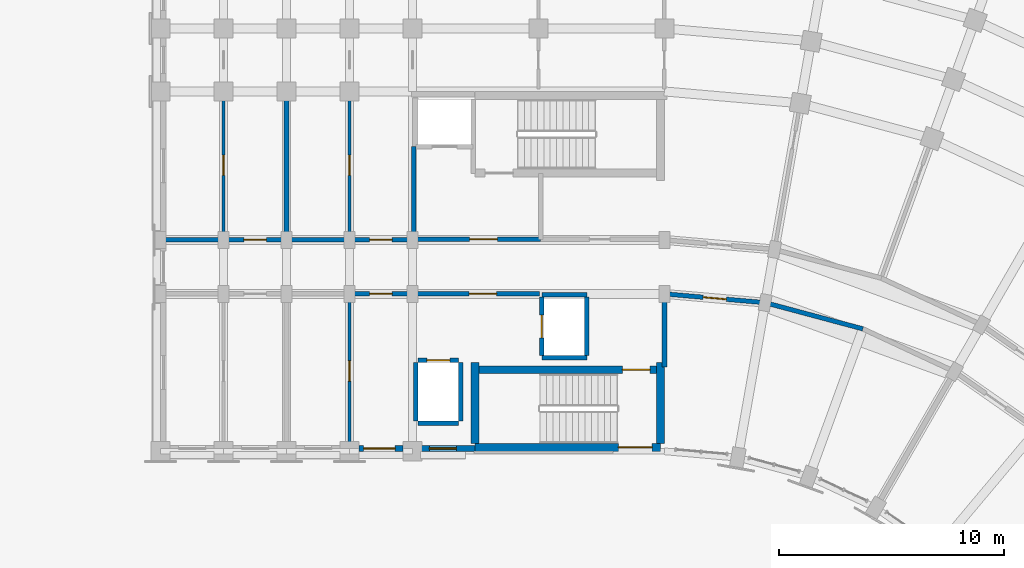
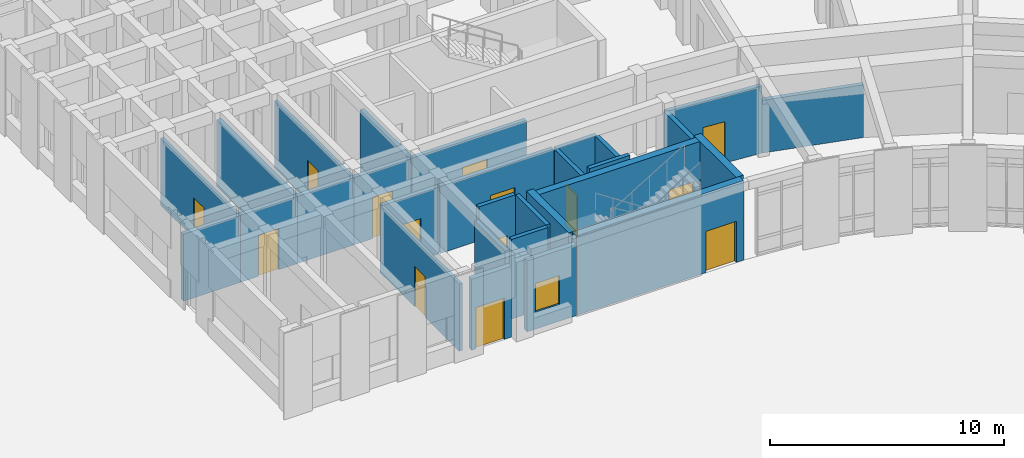
# One storey, part 105 of 135: 29 walls, 14 doors, 1 window, 15 openings.
"""IFC4 building model written with IfcOpenShell, lengths in metres."""

from ifc_helpers import new_model, si_unit, direction, frame, frame_2d, origin, place, context, subcontext, project, spatial, rectangle, extrude, material, layer, layer_set, type_object, element, fill, save


model = new_model("IFC4")

# Units and contexts
model_context = context("Model", 3, precision=1e-05, world=origin(), true_north=direction((0.0, 1.0)))
body_context = subcontext(model_context, "Body", "Model", "MODEL_VIEW")
ifc_project = project(units=[si_unit("LENGTHUNIT", "METRE"), si_unit("AREAUNIT", "SQUARE_METRE"), si_unit("VOLUMEUNIT", "CUBIC_METRE"), si_unit("PLANEANGLEUNIT", "RADIAN"), si_unit("MASSUNIT", "GRAM", prefix="KILO")], contexts=[model_context])

# Site, building, storey
site_placement = place(None, origin())
site = spatial("IfcSite", under=ifc_project, at=site_placement, CompositionType="ELEMENT")
building_placement = place(site_placement, origin())
building = spatial("IfcBuilding", under=site, at=building_placement, Name="Kiranvali Square Residences", CompositionType="ELEMENT")
storey_placement = place(building_placement, origin())
storey = spatial("IfcBuildingStorey", under=building, at=storey_placement, Name="L00", CompositionType="ELEMENT", Elevation=0.0)

# Wall, opening, door
ifc_material_1 = material(Name="Autoclaved aerated concrete blockwork masonry", Category="masonry")
ifc_layer_1 = layer(ifc_material_1, 0.199951171875)
ifc_layer_set_1 = layer_set([ifc_layer_1], Name="Autoclaved aerated concrete blockwork masonry")
wall_type_1 = type_object("IfcWallType", Name="WL-COR-200", PredefinedType="STANDARD", material=ifc_layer_set_1)
wall_1_placement = place(storey_placement, frame((114.25, 113.60009765625, 0.0), z_axis=(0.0, 0.0, 1.0), x_axis=(-1.0, 0.0, 0.0)))
wall_1 = element("IfcWall", 1, at=wall_1_placement, inside=storey, type_object=wall_type_1, Name="L00 architectural wall WL-L00-B-LL-COR", PredefinedType="STANDARD", context=body_context, shape_type="SweptSolid", body=[
    extrude(rectangle(XDim=5.60009765625, YDim=0.199951171875, at=frame_2d((2.800048828125, 0.0))), origin(), (0.0, 0.0, 1.0), 3.491943359375),
])
opening_1_placement = place(wall_1_placement, frame((1.909912109375, 0.0, 0.0)))
opening_1 = element("IfcOpeningElement", 2, at=opening_1_placement, cuts=wall_1, Name="Opening FD-COR-60", PredefinedType="OPENING", context=body_context, shape_type="SweptSolid", body=[
    extrude(rectangle(XDim=1.219970703125, YDim=2.14990234375, at=frame_2d((0.60986328125, 1.074951171875))), frame((0.0, 0.10986328125, 0.0), z_axis=(0.0, -1.0, 0.0), x_axis=(1.0, 0.0, 0.0)), (0.0, 0.0, 1.0), 0.219970703125),
])
ifc_material_2 = material(Name="Fire-rated acoustic hardwood and mineral-core door assembly", Category="wood")
door_type_1 = type_object("IfcDoorType", Name="DR-FD60-1200", OperationType="NOTDEFINED", PredefinedType="DOOR", material=ifc_material_2)
door_1_placement = place(opening_1_placement, frame((1.219970703125, 0.0, 0.0), z_axis=(0.0, 0.0, 1.0), x_axis=(-1.0, 0.0, 0.0)))
door_1 = element("IfcDoor", 3, at=door_1_placement, inside=storey, type_object=door_type_1, Name="L00 door DR-L00-0950 (DR-FD60-1200)", OperationType="SINGLE_SWING_RIGHT", OverallHeight=2.14990234375, OverallWidth=1.219970703125, PredefinedType="DOOR", context=body_context, shape_type="SweptSolid", body=[
    extrude(rectangle(XDim=1.219970703125, YDim=2.14990234375, at=frame_2d((0.60986328125, 1.074951171875))), frame((0.0, 0.02490234375, 0.0), z_axis=(0.0, -1.0, 0.0), x_axis=(1.0, 0.0, 0.0)), (0.0, 0.0, 1.0), 0.050048828125),
])
fill(opening_1, door_1)

wall_2_placement = place(storey_placement, frame((108.60009765625, 113.60009765625, 0.0), z_axis=(0.0, 0.0, 1.0), x_axis=(-1.0, 0.0, 0.0)))
wall_2 = element("IfcWall", 4, at=wall_2_placement, inside=storey, type_object=wall_type_1, Name="L00 architectural wall WL-L00-B-A1CI-0", PredefinedType="STANDARD", context=body_context, shape_type="SweptSolid", body=[
    extrude(rectangle(XDim=2.800048828125, YDim=0.199951171875, at=frame_2d((1.39990234375, 0.0))), origin(), (0.0, 0.0, 1.0), 3.491943359375),
])
opening_2_placement = place(wall_2_placement, frame((0.89990234375, 0.0, 0.0)))
opening_2 = element("IfcOpeningElement", 5, at=opening_2_placement, cuts=wall_2, Name="Opening FD-APT-60", PredefinedType="OPENING", context=body_context, shape_type="SweptSolid", body=[
    extrude(rectangle(XDim=1.0, YDim=2.14990234375, at=frame_2d((0.5, 1.074951171875))), frame((0.0, 0.10986328125, 0.0), z_axis=(0.0, -1.0, 0.0), x_axis=(1.0, 0.0, 0.0)), (0.0, 0.0, 1.0), 0.219970703125),
])
door_type_2 = type_object("IfcDoorType", Name="DR-APT-1000", OperationType="NOTDEFINED", PredefinedType="DOOR", material=ifc_material_2)
door_2_placement = place(opening_2_placement, frame((1.0, 0.0, 0.0), z_axis=(0.0, 0.0, 1.0), x_axis=(-1.0, 0.0, 0.0)))
door_2 = element("IfcDoor", 6, at=door_2_placement, inside=storey, type_object=door_type_2, Name="L00 door DR-L00-0954 (DR-APT-1000)", OperationType="SINGLE_SWING_RIGHT", OverallHeight=2.14990234375, OverallWidth=1.0, PredefinedType="DOOR", context=body_context, shape_type="SweptSolid", body=[
    extrude(rectangle(XDim=1.0, YDim=2.14990234375, at=frame_2d((0.5, 1.074951171875))), frame((0.0, 0.02490234375, 0.0), z_axis=(0.0, -1.0, 0.0), x_axis=(1.0, 0.0, 0.0)), (0.0, 0.0, 1.0), 0.050048828125),
])
fill(opening_2, door_2)

wall_3_placement = place(storey_placement, frame((108.60009765625, 116.0, 0.0), z_axis=(0.0, 0.0, 1.0), x_axis=(-1.0, 0.0, 0.0)))
wall_3 = element("IfcWall", 7, at=wall_3_placement, inside=storey, type_object=wall_type_1, Name="L00 architectural wall WL-L00-B-A1CO-0", PredefinedType="STANDARD", context=body_context, shape_type="SweptSolid", body=[
    extrude(rectangle(XDim=2.800048828125, YDim=0.199951171875, at=frame_2d((1.39990234375, 0.0))), origin(), (0.0, 0.0, 1.0), 3.491943359375),
])
opening_3_placement = place(wall_3_placement, frame((0.89990234375, 0.0, 0.0)))
opening_3 = element("IfcOpeningElement", 8, at=opening_3_placement, cuts=wall_3, Name="Opening FD-APT-60", PredefinedType="OPENING", context=body_context, shape_type="SweptSolid", body=[
    extrude(rectangle(XDim=1.0, YDim=2.14990234375, at=frame_2d((0.5, 1.074951171875))), frame((0.0, 0.10986328125, 0.0), z_axis=(0.0, -1.0, 0.0), x_axis=(1.0, 0.0, 0.0)), (0.0, 0.0, 1.0), 0.219970703125),
])
door_3_placement = place(opening_3_placement, frame((1.0, 0.0, 0.0), z_axis=(0.0, 0.0, 1.0), x_axis=(-1.0, 0.0, 0.0)))
door_3 = element("IfcDoor", 9, at=door_3_placement, inside=storey, type_object=door_type_2, Name="L00 door DR-L00-0956 (DR-APT-1000)", OperationType="SINGLE_SWING_RIGHT", OverallHeight=2.14990234375, OverallWidth=1.0, PredefinedType="DOOR", context=body_context, shape_type="SweptSolid", body=[
    extrude(rectangle(XDim=1.0, YDim=2.14990234375, at=frame_2d((0.5, 1.074951171875))), frame((0.0, 0.02490234375, 0.0), z_axis=(0.0, -1.0, 0.0), x_axis=(1.0, 0.0, 0.0)), (0.0, 0.0, 1.0), 0.050048828125),
])
fill(opening_3, door_3)

# Wall
wall_4_placement = place(storey_placement, frame((105.800048828125, 116.0, 0.0), z_axis=(0.0, 0.0, 1.0), x_axis=(-1.0, 0.0, 0.0)))
element("IfcWall", 10, at=wall_4_placement, inside=storey, type_object=wall_type_1, Name="L00 architectural wall WL-L00-B-A1CO-1", PredefinedType="STANDARD", context=body_context, shape_type="SweptSolid", body=[
    extrude(rectangle(XDim=2.800048828125, YDim=0.199951171875, at=frame_2d((1.39990234375, 0.0))), origin(), (0.0, 0.0, 1.0), 3.491943359375),
])

# Wall, opening, door
wall_5_placement = place(storey_placement, frame((103.0, 116.0, 0.0), z_axis=(0.0, 0.0, 1.0), x_axis=(-1.0, 0.0, 0.0)))
wall_5 = element("IfcWall", 11, at=wall_5_placement, inside=storey, type_object=wall_type_1, Name="L00 architectural wall WL-L00-B-A1CO-2", PredefinedType="STANDARD", context=body_context, shape_type="SweptSolid", body=[
    extrude(rectangle(XDim=2.800048828125, YDim=0.199951171875, at=frame_2d((1.39990234375, 0.0))), origin(), (0.0, 0.0, 1.0), 3.491943359375),
])
opening_4_placement = place(wall_5_placement, frame((0.89990234375, 0.0, 0.0)))
opening_4 = element("IfcOpeningElement", 12, at=opening_4_placement, cuts=wall_5, Name="Opening FD-APT-60", PredefinedType="OPENING", context=body_context, shape_type="SweptSolid", body=[
    extrude(rectangle(XDim=1.0, YDim=2.14990234375, at=frame_2d((0.5, 1.074951171875))), frame((0.0, 0.10986328125, 0.0), z_axis=(0.0, -1.0, 0.0), x_axis=(1.0, 0.0, 0.0)), (0.0, 0.0, 1.0), 0.219970703125),
])
door_4_placement = place(opening_4_placement, frame((1.0, 0.0, 0.0), z_axis=(0.0, 0.0, 1.0), x_axis=(-1.0, 0.0, 0.0)))
door_4 = element("IfcDoor", 13, at=door_4_placement, inside=storey, type_object=door_type_2, Name="L00 door DR-L00-0960 (DR-APT-1000)", OperationType="SINGLE_SWING_RIGHT", OverallHeight=2.14990234375, OverallWidth=1.0, PredefinedType="DOOR", context=body_context, shape_type="SweptSolid", body=[
    extrude(rectangle(XDim=1.0, YDim=2.14990234375, at=frame_2d((0.5, 1.074951171875))), frame((0.0, 0.02490234375, 0.0), z_axis=(0.0, -1.0, 0.0), x_axis=(1.0, 0.0, 0.0)), (0.0, 0.0, 1.0), 0.050048828125),
])
fill(opening_4, door_4)

# Wall
wall_6_placement = place(storey_placement, frame((100.199951171875, 116.0, 0.0), z_axis=(0.0, 0.0, 1.0), x_axis=(-1.0, 0.0, 0.0)))
element("IfcWall", 14, at=wall_6_placement, inside=storey, type_object=wall_type_1, Name="L00 architectural wall WL-L00-B-A1CO-3", PredefinedType="STANDARD", context=body_context, shape_type="SweptSolid", body=[
    extrude(rectangle(XDim=2.800048828125, YDim=0.199951171875, at=frame_2d((1.39990234375, 0.0))), origin(), (0.0, 0.0, 1.0), 3.491943359375),
])

# Wall, opening, door
wall_7_placement = place(storey_placement, frame((119.800048828125, 113.60009765625, 0.0), z_axis=(0.0, 0.0, 1.0), x_axis=(0.996191949488, -0.087187153726, 0.0)))
wall_7 = element("IfcWall", 15, at=wall_7_placement, inside=storey, type_object=wall_type_1, Name="L00 architectural wall WL-L00-B-CCI-0", PredefinedType="STANDARD", context=body_context, shape_type="SweptSolid", body=[
    extrude(rectangle(XDim=4.4970703125, YDim=0.199951171875, at=frame_2d((2.24853515625, 0.0))), origin(), (0.0, 0.0, 1.0), 3.491943359375),
])
opening_5_placement = place(wall_7_placement, frame((1.728515625, 0.0, 0.0)))
opening_5 = element("IfcOpeningElement", 16, at=opening_5_placement, cuts=wall_7, Name="Opening FD-APT-60B", PredefinedType="OPENING", context=body_context, shape_type="SweptSolid", body=[
    extrude(rectangle(XDim=1.0400390625, YDim=2.14990234375, at=frame_2d((0.52001953125, 1.074951171875))), frame((0.0, 0.10986328125, 0.0), z_axis=(0.0, -1.0, 0.0), x_axis=(1.0, 0.0, 0.0)), (0.0, 0.0, 1.0), 0.219970703125),
])
door_type_3 = type_object("IfcDoorType", Name="DR-APT-1040", OperationType="NOTDEFINED", PredefinedType="DOOR", material=ifc_material_2)
door_5_placement = place(opening_5_placement, origin())
door_5 = element("IfcDoor", 17, at=door_5_placement, inside=storey, type_object=door_type_3, Name="L00 door DR-L00-0979 (DR-APT-1040)", OperationType="SINGLE_SWING_LEFT", OverallHeight=2.14990234375, OverallWidth=1.0400390625, PredefinedType="DOOR", context=body_context, shape_type="SweptSolid", body=[
    extrude(rectangle(XDim=1.0400390625, YDim=2.14990234375, at=frame_2d((0.52001953125, 1.074951171875))), frame((0.0, 0.02490234375, 0.0), z_axis=(0.0, -1.0, 0.0), x_axis=(1.0, 0.0, 0.0)), (0.0, 0.0, 1.0), 0.050048828125),
])
fill(opening_5, door_5)

# Walls
wall_8_placement = place(storey_placement, frame((124.280029296875, 113.2080078125, 0.0), z_axis=(0.0, 0.0, 1.0), x_axis=(0.965934240054, -0.258787642463, 0.0)))
element("IfcWall", 18, at=wall_8_placement, inside=storey, type_object=wall_type_1, Name="L00 architectural wall WL-L00-B-CCI-1", PredefinedType="STANDARD", context=body_context, shape_type="SweptSolid", body=[
    extrude(rectangle(XDim=4.497314453125, YDim=0.199951171875, at=frame_2d((2.24853515625, 0.0))), origin(), (0.0, 0.0, 1.0), 2.741943359375),
])
ifc_layer_2 = layer(ifc_material_1, 0.219970703125)
ifc_layer_set_2 = layer_set([ifc_layer_2], Name="Autoclaved aerated concrete blockwork masonry")
wall_type_2 = type_object("IfcWallType", Name="WL-DEM-220", PredefinedType="STANDARD", material=ifc_layer_set_2)
wall_9_placement = place(storey_placement, frame((103.0, 116.050048828125, 0.0), z_axis=(0.0, 0.0, 1.0), x_axis=(0.0, 1.0, 0.0)))
element("IfcWall", 19, at=wall_9_placement, inside=storey, type_object=wall_type_2, Name="L00 architectural wall WL-L00-B-A1TO1-2", PredefinedType="STANDARD", context=body_context, shape_type="SweptSolid", body=[
    extrude(rectangle(XDim=6.530029296875, YDim=0.219970703125, at=frame_2d((3.26513671875, 0.0))), origin(), (0.0, 0.0, 1.0), 3.491943359375),
])
wall_10_placement = place(storey_placement, frame((119.800048828125, 110.35009765625, 0.0), z_axis=(0.0, 0.0, 1.0), x_axis=(0.0, 1.0, 0.0)))
element("IfcWall", 20, at=wall_10_placement, inside=storey, type_object=wall_type_2, Name="L00 architectural wall WL-L00-B-RADI-0", PredefinedType="STANDARD", context=body_context, shape_type="SweptSolid", body=[
    extrude(rectangle(XDim=3.199951171875, YDim=0.219970703125, at=frame_2d((1.60009765625, 0.0))), origin(), (0.0, 0.0, 1.0), 3.491943359375),
])

# Wall, opening, window
ifc_material_3 = material(Name="Breathable lime-rendered clay brick masonry", Category="masonry")
ifc_layer_3 = layer(ifc_material_3, 0.25)
ifc_layer_set_3 = layer_set([ifc_layer_3], Name="Breathable lime-rendered clay brick masonry")
wall_type_3 = type_object("IfcWallType", Name="WL-EXT-250", PredefinedType="STANDARD", material=ifc_layer_set_3)
wall_11_placement = place(storey_placement, frame((111.37158203125, 106.72509765625, 0.0), z_axis=(0.0, 0.0, 1.0), x_axis=(-1.0, 0.0, 0.0)))
wall_11 = element("IfcWall", 21, at=wall_11_placement, inside=storey, type_object=wall_type_3, Name="L00 exterior wall B-L00-A1IN-0", PredefinedType="STANDARD", context=body_context, shape_type="SweptSolid", body=[
    extrude(rectangle(XDim=2.421630859375, YDim=0.25, at=frame_2d((1.2109375, 0.0))), origin(), (0.0, 0.0, 1.0), 3.69189453125),
])
opening_6_placement = place(wall_11_placement, frame((0.821533203125, 0.0, 0.8798828125)))
opening_6 = element("IfcOpeningElement", 22, at=opening_6_placement, cuts=wall_11, Name="Opening W-06", PredefinedType="OPENING", context=body_context, shape_type="SweptSolid", body=[
    extrude(rectangle(XDim=1.199951171875, YDim=1.5, at=frame_2d((0.60009765625, 0.75))), frame((0.0, 0.135009765625, 0.0), z_axis=(0.0, -1.0, 0.0), x_axis=(1.0, 0.0, 0.0)), (0.0, 0.0, 1.0), 0.27001953125),
])
ifc_material_4 = material(Name="Solar-control low-e double glazing", Category="glass")
window_type = type_object("IfcWindowType", Name="WIN-RES-1200x1500", PartitioningType="SINGLE_PANEL", PredefinedType="WINDOW", material=ifc_material_4)
window_placement = place(opening_6_placement, origin())
window = element("IfcWindow", 23, at=window_placement, inside=storey, type_object=window_type, Name="L00 recessed window B-L00-A1IN-0", OverallHeight=1.5, OverallWidth=1.199951171875, PartitioningType="SINGLE_PANEL", PredefinedType="WINDOW", context=body_context, shape_type="SweptSolid", body=[
    extrude(rectangle(XDim=1.199951171875, YDim=1.5, at=frame_2d((0.60009765625, 0.75))), frame((0.0, 0.030029296875, 0.0), z_axis=(0.0, -1.0, 0.0), x_axis=(1.0, 0.0, 0.0)), (0.0, 0.0, 1.0), 0.06005859375),
])
fill(opening_6, window)

# Wall, opening, door
wall_12_placement = place(storey_placement, frame((108.179931640625, 106.72509765625, 0.0), z_axis=(0.0, 0.0, 1.0), x_axis=(-1.0, 0.0, 0.0)))
wall_12 = element("IfcWall", 24, at=wall_12_placement, inside=storey, type_object=wall_type_3, Name="L00 exterior wall B-L00-A1I-0", PredefinedType="STANDARD", context=body_context, shape_type="SweptSolid", body=[
    extrude(rectangle(XDim=1.9599609375, YDim=0.25, at=frame_2d((0.97998046875, 0.0))), origin(), (0.0, 0.0, 1.0), 3.69189453125),
])
opening_7_placement = place(wall_12_placement, frame((0.35009765625, 0.0, 0.0)))
opening_7 = element("IfcOpeningElement", 25, at=opening_7_placement, cuts=wall_12, Name="Opening ED-EX-140", PredefinedType="OPENING", context=body_context, shape_type="SweptSolid", body=[
    extrude(rectangle(XDim=1.39990234375, YDim=2.14990234375, at=frame_2d((0.699951171875, 1.074951171875))), frame((0.0, 0.135009765625, 0.0), z_axis=(0.0, -1.0, 0.0), x_axis=(1.0, 0.0, 0.0)), (0.0, 0.0, 1.0), 0.27001953125),
])
door_type_4 = type_object("IfcDoorType", Name="DR-EXIT-1400", OperationType="NOTDEFINED", PredefinedType="DOOR", material=ifc_material_2)
door_6_placement = place(opening_7_placement, origin())
door_6 = element("IfcDoor", 26, at=door_6_placement, inside=storey, type_object=door_type_4, Name="Block B garden promenade exit door", OperationType="SINGLE_SWING_RIGHT", OverallHeight=2.14990234375, OverallWidth=1.39990234375, PredefinedType="DOOR", context=body_context, shape_type="SweptSolid", body=[
    extrude(rectangle(XDim=1.39990234375, YDim=2.14990234375, at=frame_2d((0.699951171875, 1.074951171875))), frame((0.0, 0.02490234375, 0.0), z_axis=(0.0, -1.0, 0.0), x_axis=(1.0, 0.0, 0.0)), (0.0, 0.0, 1.0), 0.050048828125),
])
fill(opening_7, door_6)

ifc_layer_4 = layer(ifc_material_1, 0.199951171875)
ifc_layer_set_4 = layer_set([ifc_layer_4], Name="Autoclaved aerated concrete blockwork masonry")
wall_type_4 = type_object("IfcWallType", Name="WL-FFL-200", PredefinedType="STANDARD", material=ifc_layer_set_4)
wall_13_placement = place(storey_placement, frame((114.300048828125, 116.02001953125, 0.0), z_axis=(0.0, 0.0, 1.0), x_axis=(-1.0, 0.0, 0.0)))
wall_13 = element("IfcWall", 27, at=wall_13_placement, inside=storey, type_object=wall_type_4, Name="L00 architectural wall WL-L00-B-FF-COR", PredefinedType="STANDARD", context=body_context, shape_type="SweptSolid", body=[
    extrude(rectangle(XDim=5.650146484375, YDim=0.199951171875, at=frame_2d((2.8251953125, 0.0))), origin(), (0.0, 0.0, 1.0), 3.491943359375),
])
opening_8_placement = place(wall_13_placement, frame((1.922607421875, 0.0, 0.0)))
opening_8 = element("IfcOpeningElement", 28, at=opening_8_placement, cuts=wall_13, Name="Opening FD-ST-120", PredefinedType="OPENING", context=body_context, shape_type="SweptSolid", body=[
    extrude(rectangle(XDim=1.239990234375, YDim=2.14990234375, at=frame_2d((0.6201171875, 1.074951171875))), frame((0.0, 0.10986328125, 0.0), z_axis=(0.0, -1.0, 0.0), x_axis=(1.0, 0.0, 0.0)), (0.0, 0.0, 1.0), 0.219970703125),
])
door_type_5 = type_object("IfcDoorType", Name="DR-FD120-1200", OperationType="NOTDEFINED", PredefinedType="DOOR", material=ifc_material_2)
door_7_placement = place(opening_8_placement, frame((1.239990234375, 0.0, 0.0), z_axis=(0.0, 0.0, 1.0), x_axis=(-1.0, 0.0, 0.0)))
door_7 = element("IfcDoor", 29, at=door_7_placement, inside=storey, type_object=door_type_5, Name="L00 door DR-L00-0940 (DR-FD120-1200)", OperationType="SINGLE_SWING_RIGHT", OverallHeight=2.14990234375, OverallWidth=1.239990234375, PredefinedType="DOOR", context=body_context, shape_type="SweptSolid", body=[
    extrude(rectangle(XDim=1.239990234375, YDim=2.14990234375, at=frame_2d((0.6201171875, 1.074951171875))), frame((0.0, 0.02490234375, 0.0), z_axis=(0.0, -1.0, 0.0), x_axis=(1.0, 0.0, 0.0)), (0.0, 0.0, 1.0), 0.050048828125),
])
fill(opening_8, door_7)

# Wall
wall_14_placement = place(storey_placement, frame((108.64990234375, 116.02001953125, 0.0), z_axis=(0.0, 0.0, 1.0), x_axis=(0.0, 1.0, 0.0)))
element("IfcWall", 30, at=wall_14_placement, inside=storey, type_object=wall_type_4, Name="L00 architectural wall WL-L00-B-FF-END", PredefinedType="STANDARD", context=body_context, shape_type="SweptSolid", body=[
    extrude(rectangle(XDim=4.1298828125, YDim=0.199951171875, at=frame_2d((2.06494140625, 0.0))), origin(), (0.0, 0.0, 1.0), 3.491943359375),
])

# Wall, opening, door
ifc_material_5 = material(Name="Acoustic gypsum board drylined partition", Category="gypsum")
ifc_layer_5 = layer(ifc_material_5, 0.14990234375)
ifc_layer_set_5 = layer_set([ifc_layer_5], Name="Acoustic gypsum board drylined partition")
wall_type_5 = type_object("IfcWallType", Name="WL-PRT-150", PredefinedType="PARTITIONING", material=ifc_layer_set_5)
wall_15_placement = place(storey_placement, frame((105.800048828125, 106.800048828125, 0.0), z_axis=(0.0, 0.0, 1.0), x_axis=(0.0, 1.0, 0.0)))
wall_15 = element("IfcWall", 31, at=wall_15_placement, inside=storey, type_object=wall_type_5, Name="L00 architectural wall WL-L00-B-A1TI-1", PredefinedType="PARTITIONING", context=body_context, shape_type="SweptSolid", body=[
    extrude(rectangle(XDim=6.75, YDim=0.14990234375, at=frame_2d((3.375, 0.0))), origin(), (0.0, 0.0, 1.0), 3.491943359375),
])
opening_9_placement = place(wall_15_placement, frame((2.925048828125, 0.0, 0.0)))
opening_9 = element("IfcOpeningElement", 32, at=opening_9_placement, cuts=wall_15, Name="Opening ID-1", PredefinedType="OPENING", context=body_context, shape_type="SweptSolid", body=[
    extrude(rectangle(XDim=0.89990234375, YDim=2.10009765625, at=frame_2d((0.449951171875, 1.050048828125))), frame((0.0, 0.0849609375, 0.0), z_axis=(0.0, -1.0, 0.0), x_axis=(1.0, 0.0, 0.0)), (0.0, 0.0, 1.0), 0.169921875),
])
ifc_material_6 = material(Name="Solid seasoned teak hardwood joinery", Category="wood")
door_type_6 = type_object("IfcDoorType", Name="DR-INT-900", OperationType="NOTDEFINED", PredefinedType="DOOR", material=ifc_material_6)
door_8_placement = place(opening_9_placement, origin())
door_8 = element("IfcDoor", 33, at=door_8_placement, inside=storey, type_object=door_type_6, Name="L00 door DR-L00-0963 (DR-INT-900)", OperationType="SINGLE_SWING_LEFT", OverallHeight=2.10009765625, OverallWidth=0.89990234375, PredefinedType="DOOR", context=body_context, shape_type="SweptSolid", body=[
    extrude(rectangle(XDim=0.89990234375, YDim=2.10009765625, at=frame_2d((0.449951171875, 1.050048828125))), frame((0.0, 0.02490234375, 0.0), z_axis=(0.0, -1.0, 0.0), x_axis=(1.0, 0.0, 0.0)), (0.0, 0.0, 1.0), 0.050048828125),
])
fill(opening_9, door_8)

wall_16_placement = place(storey_placement, frame((105.800048828125, 116.050048828125, 0.0), z_axis=(0.0, 0.0, 1.0), x_axis=(0.0, 1.0, 0.0)))
wall_16 = element("IfcWall", 34, at=wall_16_placement, inside=storey, type_object=wall_type_5, Name="L00 architectural wall WL-L00-B-A1TO1-1", PredefinedType="PARTITIONING", context=body_context, shape_type="SweptSolid", body=[
    extrude(rectangle(XDim=6.530029296875, YDim=0.14990234375, at=frame_2d((3.26513671875, 0.0))), origin(), (0.0, 0.0, 1.0), 3.491943359375),
])
opening_10_placement = place(wall_16_placement, frame((2.81494140625, 0.0, 0.0)))
opening_10 = element("IfcOpeningElement", 35, at=opening_10_placement, cuts=wall_16, Name="Opening ID-1", PredefinedType="OPENING", context=body_context, shape_type="SweptSolid", body=[
    extrude(rectangle(XDim=0.89990234375, YDim=2.10009765625, at=frame_2d((0.449951171875, 1.050048828125))), frame((0.0, 0.0849609375, 0.0), z_axis=(0.0, -1.0, 0.0), x_axis=(1.0, 0.0, 0.0)), (0.0, 0.0, 1.0), 0.169921875),
])
door_9_placement = place(opening_10_placement, frame((0.89990234375, 0.0, 0.0), z_axis=(0.0, 0.0, 1.0), x_axis=(-1.0, 0.0, 0.0)))
door_9 = element("IfcDoor", 36, at=door_9_placement, inside=storey, type_object=door_type_6, Name="L00 door DR-L00-0964 (DR-INT-900)", OperationType="SINGLE_SWING_RIGHT", OverallHeight=2.10009765625, OverallWidth=0.89990234375, PredefinedType="DOOR", context=body_context, shape_type="SweptSolid", body=[
    extrude(rectangle(XDim=0.89990234375, YDim=2.10009765625, at=frame_2d((0.449951171875, 1.050048828125))), frame((0.0, 0.02490234375, 0.0), z_axis=(0.0, -1.0, 0.0), x_axis=(1.0, 0.0, 0.0)), (0.0, 0.0, 1.0), 0.050048828125),
])
fill(opening_10, door_9)

wall_17_placement = place(storey_placement, frame((100.199951171875, 116.050048828125, 0.0), z_axis=(0.0, 0.0, 1.0), x_axis=(0.0, 1.0, 0.0)))
wall_17 = element("IfcWall", 37, at=wall_17_placement, inside=storey, type_object=wall_type_5, Name="L00 architectural wall WL-L00-B-A1TO1-3", PredefinedType="PARTITIONING", context=body_context, shape_type="SweptSolid", body=[
    extrude(rectangle(XDim=6.530029296875, YDim=0.14990234375, at=frame_2d((3.26513671875, 0.0))), origin(), (0.0, 0.0, 1.0), 3.491943359375),
])
opening_11_placement = place(wall_17_placement, frame((2.81494140625, 0.0, 0.0)))
opening_11 = element("IfcOpeningElement", 38, at=opening_11_placement, cuts=wall_17, Name="Opening ID-1", PredefinedType="OPENING", context=body_context, shape_type="SweptSolid", body=[
    extrude(rectangle(XDim=0.89990234375, YDim=2.10009765625, at=frame_2d((0.449951171875, 1.050048828125))), frame((0.0, 0.0849609375, 0.0), z_axis=(0.0, -1.0, 0.0), x_axis=(1.0, 0.0, 0.0)), (0.0, 0.0, 1.0), 0.169921875),
])
door_10_placement = place(opening_11_placement, origin())
door_10 = element("IfcDoor", 39, at=door_10_placement, inside=storey, type_object=door_type_6, Name="L00 door DR-L00-0967 (DR-INT-900)", OperationType="SINGLE_SWING_LEFT", OverallHeight=2.10009765625, OverallWidth=0.89990234375, PredefinedType="DOOR", context=body_context, shape_type="SweptSolid", body=[
    extrude(rectangle(XDim=0.89990234375, YDim=2.10009765625, at=frame_2d((0.449951171875, 1.050048828125))), frame((0.0, 0.02490234375, 0.0), z_axis=(0.0, -1.0, 0.0), x_axis=(1.0, 0.0, 0.0)), (0.0, 0.0, 1.0), 0.050048828125),
])
fill(opening_11, door_10)

# Walls
ifc_layer_6 = layer(ifc_material_1, 0.199951171875)
ifc_layer_set_6 = layer_set([ifc_layer_6], Name="Autoclaved aerated concrete blockwork masonry")
wall_type_6 = type_object("IfcWallType", Name="WL-SHF-200", PredefinedType="STANDARD", material=ifc_layer_set_6)
wall_18_placement = place(storey_placement, frame((110.75, 107.949951171875, 0.0), z_axis=(0.0, 0.0, 1.0), x_axis=(0.0, 1.0, 0.0)))
element("IfcWall", 40, at=wall_18_placement, inside=storey, type_object=wall_type_6, Name="L00 architectural wall WL-L00-B-LP1-S1", PredefinedType="STANDARD", context=body_context, shape_type="SweptSolid", body=[
    extrude(rectangle(XDim=2.60009765625, YDim=0.199951171875, at=frame_2d((1.300048828125, 0.0))), origin(), (0.0, 0.0, 1.0), 4.14990234375),
])
wall_19_placement = place(storey_placement, frame((108.75, 107.949951171875, 0.0), z_axis=(0.0, 0.0, 1.0), x_axis=(0.0, 1.0, 0.0)))
element("IfcWall", 41, at=wall_19_placement, inside=storey, type_object=wall_type_6, Name="L00 architectural wall WL-L00-B-LP1-B", PredefinedType="STANDARD", context=body_context, shape_type="SweptSolid", body=[
    extrude(rectangle(XDim=2.60009765625, YDim=0.199951171875, at=frame_2d((1.300048828125, 0.0))), origin(), (0.0, 0.0, 1.0), 3.491943359375),
])
wall_20_placement = place(storey_placement, frame((110.64990234375, 107.85009765625, 0.0), z_axis=(0.0, 0.0, 1.0), x_axis=(-1.0, 0.0, 0.0)))
element("IfcWall", 42, at=wall_20_placement, inside=storey, type_object=wall_type_6, Name="L00 architectural wall WL-L00-B-LP1-S2", PredefinedType="STANDARD", context=body_context, shape_type="SweptSolid", body=[
    extrude(rectangle(XDim=1.7998046875, YDim=0.199951171875, at=frame_2d((0.89990234375, 0.0))), origin(), (0.0, 0.0, 1.0), 4.14990234375),
])

# Wall, opening, door
wall_21_placement = place(storey_placement, frame((110.64990234375, 110.64990234375, 0.0), z_axis=(0.0, 0.0, 1.0), x_axis=(-1.0, 0.0, 0.0)))
wall_21 = element("IfcWall", 43, at=wall_21_placement, inside=storey, type_object=wall_type_6, Name="L00 architectural wall WL-L00-B-LP1-F", PredefinedType="STANDARD", context=body_context, shape_type="SweptSolid", body=[
    extrude(rectangle(XDim=1.7998046875, YDim=0.199951171875, at=frame_2d((0.89990234375, 0.0))), origin(), (0.0, 0.0, 1.0), 4.14990234375),
])
opening_12_placement = place(wall_21_placement, frame((0.389892578125, 0.0, 0.0)))
opening_12 = element("IfcOpeningElement", 44, at=opening_12_placement, cuts=wall_21, Name="Opening LD-PAX-100", PredefinedType="OPENING", context=body_context, shape_type="SweptSolid", body=[
    extrude(rectangle(XDim=1.02001953125, YDim=2.14990234375, at=frame_2d((0.510009765625, 1.074951171875))), frame((0.0, 0.10986328125, 0.0), z_axis=(0.0, -1.0, 0.0), x_axis=(1.0, 0.0, 0.0)), (0.0, 0.0, 1.0), 0.219970703125),
])
door_type_7 = type_object("IfcDoorType", Name="DR-LIFT-1000", OperationType="SLIDING_TO_RIGHT", PredefinedType="DOOR", material=ifc_material_2)
door_11_placement = place(opening_12_placement, origin())
door_11 = element("IfcDoor", 45, at=door_11_placement, inside=storey, type_object=door_type_7, Name="L00 door DR-L00-0948 (DR-LIFT-1000)", OperationType="SLIDING_TO_RIGHT", OverallHeight=2.14990234375, OverallWidth=1.02001953125, PredefinedType="DOOR", context=body_context, shape_type="SweptSolid", body=[
    extrude(rectangle(XDim=1.02001953125, YDim=2.14990234375, at=frame_2d((0.510009765625, 1.074951171875))), frame((0.0, 0.02490234375, 0.0), z_axis=(0.0, -1.0, 0.0), x_axis=(1.0, 0.0, 0.0)), (0.0, 0.0, 1.0), 0.050048828125),
])
fill(opening_12, door_11)

# Walls
wall_22_placement = place(storey_placement, frame((116.35009765625, 110.75, 0.0), z_axis=(0.0, 0.0, 1.0), x_axis=(-1.0, 0.0, 0.0)))
element("IfcWall", 46, at=wall_22_placement, inside=storey, type_object=wall_type_6, Name="L00 architectural wall WL-L00-B-LP2-S0", PredefinedType="STANDARD", context=body_context, shape_type="SweptSolid", body=[
    extrude(rectangle(XDim=2.0, YDim=0.199951171875, at=frame_2d((1.0, 0.0))), origin(), (0.0, 0.0, 1.0), 4.14990234375),
])
wall_23_placement = place(storey_placement, frame((116.35009765625, 113.550048828125, 0.0), z_axis=(0.0, 0.0, 1.0), x_axis=(-1.0, 0.0, 0.0)))
element("IfcWall", 47, at=wall_23_placement, inside=storey, type_object=wall_type_6, Name="L00 architectural wall WL-L00-B-LP2-B", PredefinedType="STANDARD", context=body_context, shape_type="SweptSolid", body=[
    extrude(rectangle(XDim=2.0, YDim=0.199951171875, at=frame_2d((1.0, 0.0))), origin(), (0.0, 0.0, 1.0), 3.491943359375),
])
wall_24_placement = place(storey_placement, frame((116.35009765625, 110.85009765625, 0.0), z_axis=(0.0, 0.0, 1.0), x_axis=(0.0, 1.0, 0.0)))
element("IfcWall", 48, at=wall_24_placement, inside=storey, type_object=wall_type_6, Name="L00 architectural wall WL-L00-B-LP2-S1", PredefinedType="STANDARD", context=body_context, shape_type="SweptSolid", body=[
    extrude(rectangle(XDim=2.599853515625, YDim=0.199951171875, at=frame_2d((1.2998046875, 0.0))), origin(), (0.0, 0.0, 1.0), 3.491943359375),
])

# Wall, opening, door
wall_25_placement = place(storey_placement, frame((114.35009765625, 110.85009765625, 0.0), z_axis=(0.0, 0.0, 1.0), x_axis=(0.0, 1.0, 0.0)))
wall_25 = element("IfcWall", 49, at=wall_25_placement, inside=storey, type_object=wall_type_6, Name="L00 architectural wall WL-L00-B-LP2-F", PredefinedType="STANDARD", context=body_context, shape_type="SweptSolid", body=[
    extrude(rectangle(XDim=2.599853515625, YDim=0.199951171875, at=frame_2d((1.2998046875, 0.0))), origin(), (0.0, 0.0, 1.0), 3.491943359375),
])
opening_13_placement = place(wall_25_placement, frame((0.7900390625, 0.0, 0.0)))
opening_13 = element("IfcOpeningElement", 50, at=opening_13_placement, cuts=wall_25, Name="Opening LD-PAX-100", PredefinedType="OPENING", context=body_context, shape_type="SweptSolid", body=[
    extrude(rectangle(XDim=1.02001953125, YDim=2.14990234375, at=frame_2d((0.510009765625, 1.074951171875))), frame((0.0, 0.10986328125, 0.0), z_axis=(0.0, -1.0, 0.0), x_axis=(1.0, 0.0, 0.0)), (0.0, 0.0, 1.0), 0.219970703125),
])
door_12_placement = place(opening_13_placement, origin())
door_12 = element("IfcDoor", 51, at=door_12_placement, inside=storey, type_object=door_type_7, Name="L00 door DR-L00-0949 (DR-LIFT-1000)", OperationType="SLIDING_TO_RIGHT", OverallHeight=2.14990234375, OverallWidth=1.02001953125, PredefinedType="DOOR", context=body_context, shape_type="SweptSolid", body=[
    extrude(rectangle(XDim=1.02001953125, YDim=2.14990234375, at=frame_2d((0.510009765625, 1.074951171875))), frame((0.0, 0.02490234375, 0.0), z_axis=(0.0, -1.0, 0.0), x_axis=(1.0, 0.0, 0.0)), (0.0, 0.0, 1.0), 0.050048828125),
])
fill(opening_13, door_12)

ifc_material_7 = material(Name="Concrete M50 (50 MPa)", Category="concrete")
ifc_layer_7 = layer(ifc_material_7, 0.35009765625)
ifc_layer_set_7 = layer_set([ifc_layer_7], Name="Concrete M50 (50 MPa)")
wall_type_7 = type_object("IfcWallType", Name="WL-SHR-350", PredefinedType="SHEAR", material=ifc_layer_set_7)
wall_26_placement = place(storey_placement, frame((119.625, 106.77490234375, 0.0), z_axis=(0.0, 0.0, 1.0), x_axis=(-1.0, 0.0, 0.0)))
wall_26 = element("IfcWall", 52, at=wall_26_placement, inside=storey, type_object=wall_type_7, Name="Block B core shear wall SW-B2-OUT-L00", PredefinedType="SHEAR", context=body_context, shape_type="SweptSolid", body=[
    extrude(rectangle(XDim=8.25, YDim=0.35009765625, at=frame_2d((4.125, 0.0))), origin(), (0.0, 0.0, 1.0), 4.14990234375),
])
opening_14_placement = place(wall_26_placement, frame((0.375, 0.0, 0.0)))
opening_14 = element("IfcOpeningElement", 53, at=opening_14_placement, cuts=wall_26, Name="Opening ED-EX-150", PredefinedType="OPENING", context=body_context, shape_type="SweptSolid", body=[
    extrude(rectangle(XDim=1.5, YDim=2.14990234375, at=frame_2d((0.75, 1.074951171875))), frame((0.0, 0.18505859375, 0.0), z_axis=(0.0, -1.0, 0.0), x_axis=(1.0, 0.0, 0.0)), (0.0, 0.0, 1.0), 0.3701171875),
])
door_type_8 = type_object("IfcDoorType", Name="DR-EXIT-1500", OperationType="NOTDEFINED", PredefinedType="DOOR", material=ifc_material_2)
door_13_placement = place(opening_14_placement, origin())
door_13 = element("IfcDoor", 54, at=door_13_placement, inside=storey, type_object=door_type_8, Name="L00 door DR-L00-0946 (DR-EXIT-1500)", OperationType="SINGLE_SWING_RIGHT", OverallHeight=2.14990234375, OverallWidth=1.5, PredefinedType="DOOR", context=body_context, shape_type="SweptSolid", body=[
    extrude(rectangle(XDim=1.5, YDim=2.14990234375, at=frame_2d((0.75, 1.074951171875))), frame((0.0, 0.02490234375, 0.0), z_axis=(0.0, -1.0, 0.0), x_axis=(1.0, 0.0, 0.0)), (0.0, 0.0, 1.0), 0.050048828125),
])
fill(opening_14, door_13)

wall_27_placement = place(storey_placement, frame((119.449951171875, 110.22509765625, 0.0), z_axis=(0.0, 0.0, 1.0), x_axis=(-1.0, 0.0, 0.0)))
wall_27 = element("IfcWall", 55, at=wall_27_placement, inside=storey, type_object=wall_type_7, Name="Block B core shear wall SW-B2-IN-L00", PredefinedType="SHEAR", context=body_context, shape_type="SweptSolid", body=[
    extrude(rectangle(XDim=7.89990234375, YDim=0.35009765625, at=frame_2d((3.949951171875, 0.0))), origin(), (0.0, 0.0, 1.0), 4.14990234375),
])
opening_15_placement = place(wall_27_placement, frame((0.280029296875, 0.0, 0.0)))
opening_15 = element("IfcOpeningElement", 56, at=opening_15_placement, cuts=wall_27, Name="Opening FD-ST-120", PredefinedType="OPENING", context=body_context, shape_type="SweptSolid", body=[
    extrude(rectangle(XDim=1.239990234375, YDim=2.14990234375, at=frame_2d((0.6201171875, 1.074951171875))), frame((0.0, 0.18505859375, 0.0), z_axis=(0.0, -1.0, 0.0), x_axis=(1.0, 0.0, 0.0)), (0.0, 0.0, 1.0), 0.3701171875),
])
door_14_placement = place(opening_15_placement, frame((1.239990234375, 0.0, 0.0), z_axis=(0.0, 0.0, 1.0), x_axis=(-1.0, 0.0, 0.0)))
door_14 = element("IfcDoor", 57, at=door_14_placement, inside=storey, type_object=door_type_5, Name="L00 door DR-L00-0944 (DR-FD120-1200)", OperationType="SINGLE_SWING_RIGHT", OverallHeight=2.14990234375, OverallWidth=1.239990234375, PredefinedType="DOOR", context=body_context, shape_type="SweptSolid", body=[
    extrude(rectangle(XDim=1.239990234375, YDim=2.14990234375, at=frame_2d((0.6201171875, 1.074951171875))), frame((0.0, 0.02490234375, 0.0), z_axis=(0.0, -1.0, 0.0), x_axis=(1.0, 0.0, 0.0)), (0.0, 0.0, 1.0), 0.050048828125),
])
fill(opening_15, door_14)

# Walls
for number, where, z_axis, x_axis, name in (
    (58, (119.625, 106.949951171875, 0.0), (0.0, 0.0, 1.0), (0.0, 1.0, 0.0), "Block B core shear wall SW-B2-NEAR-L00"),
    (59, (111.375, 106.949951171875, 0.0), (0.0, 0.0, 1.0), (0.0, 1.0, 0.0), "Block B core shear wall SW-B2-FAR-L00"),
):
    element("IfcWall", number, at=place(storey_placement, frame(where, z_axis=z_axis, x_axis=x_axis)), inside=storey, type_object=wall_type_7, Name=name, PredefinedType="SHEAR", context=body_context, shape_type="SweptSolid", body=[
        extrude(rectangle(XDim=3.60009765625, YDim=0.35009765625, at=frame_2d((1.800048828125, 0.0))), origin(), (0.0, 0.0, 1.0), 4.14990234375),
    ])

save(model, "model.ifc")
